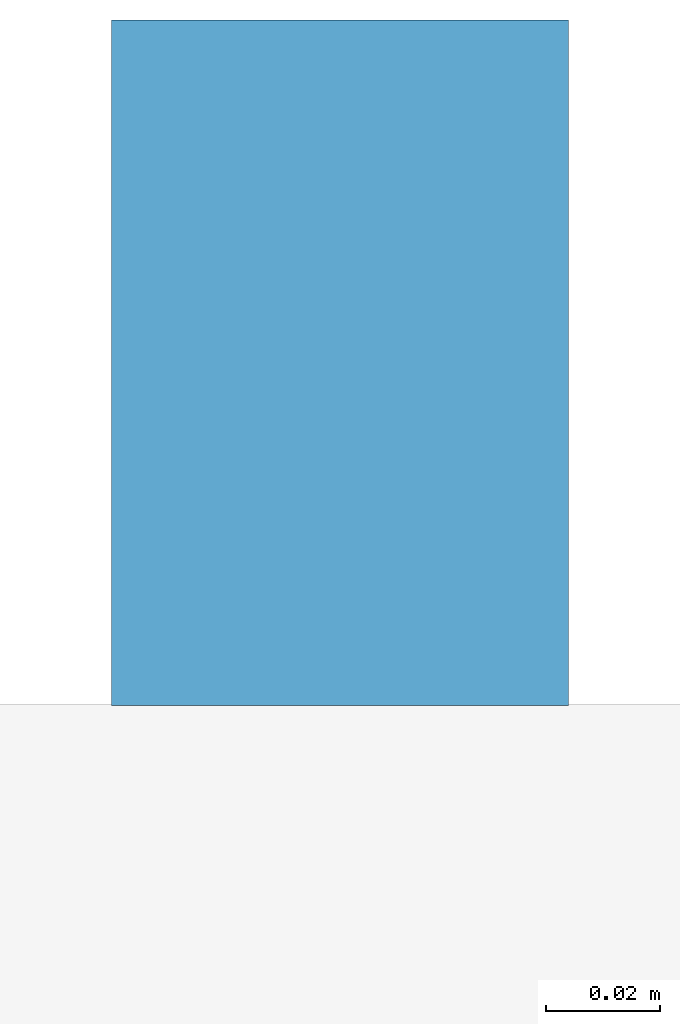
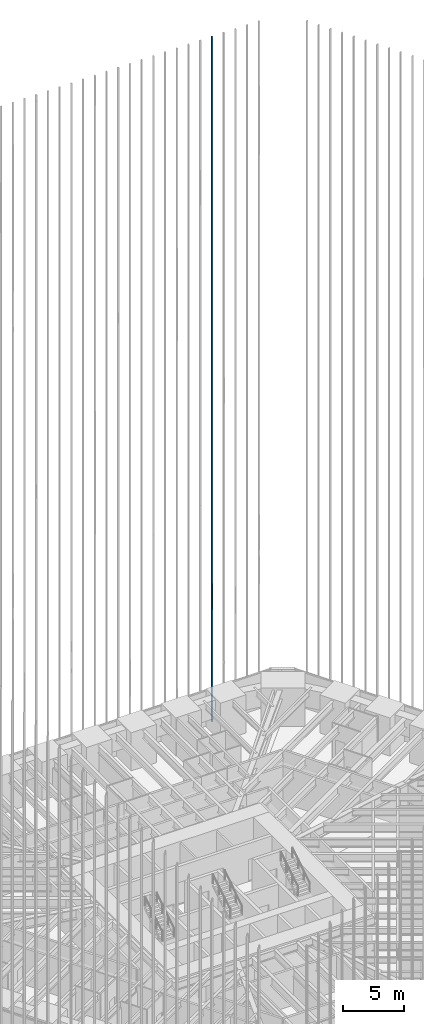
# One storey, part 233 of 256: 1 member, 1 element without a shape of its own.
"""IFC4 building model written with IfcOpenShell, lengths in metres."""

from ifc_helpers import new_model, si_unit, direction, frame, origin, origin_2d, place, context, subcontext, project, spatial, rectangle, extrude, material, material_profile, profile_set, type_object, element, aggregate, save


model = new_model("IFC4")

# Units and contexts
model_context = context("Model", 3, precision=1e-05, world=origin(), true_north=direction((0.0, 1.0)))
body_context = subcontext(model_context, "Body", "Model", "MODEL_VIEW")
ifc_project = project(units=[si_unit("LENGTHUNIT", "METRE"), si_unit("AREAUNIT", "SQUARE_METRE"), si_unit("VOLUMEUNIT", "CUBIC_METRE"), si_unit("PLANEANGLEUNIT", "RADIAN"), si_unit("MASSUNIT", "GRAM", prefix="KILO")], contexts=[model_context])

# Site, building, storey
site_placement = place(None, origin())
site = spatial("IfcSite", under=ifc_project, at=site_placement, CompositionType="ELEMENT")
building_placement = place(site_placement, origin())
building = spatial("IfcBuilding", under=site, at=building_placement, Name="Sandreach Pilgrim Tower", CompositionType="ELEMENT")
storey_placement = place(building_placement, frame((0.0, 0.0, 23.0)))
storey = spatial("IfcBuildingStorey", under=building, at=storey_placement, Name="L04", CompositionType="ELEMENT", Elevation=23.0)

# Curtain wall, member
ifc_material_1 = material(Name="Aluminium framed curtain wall", Category="aluminium")
curtain_wall_type = type_object("IfcCurtainWallType", Name="Hostel tower curtain wall", PredefinedType="NOTDEFINED", material=ifc_material_1)
curtain_wall_placement = place(storey_placement, origin())
curtain_wall = element("IfcCurtainWall", 1, at=curtain_wall_placement, inside=storey, type_object=curtain_wall_type, Name="CW-1 L04 N", PredefinedType="NOTDEFINED")
ifc_material_2 = material(Name="Extruded terracotta on aluminium core", Category="masonry")
ifc_material_profile = material_profile(ifc_material_2, rectangle(XDim=0.080078125, YDim=0.1201171875, at=origin_2d()), Name="TBN 80X120")
ifc_profile_set = profile_set([ifc_material_profile], Name="Extruded terracotta on aluminium core")
member_type = type_object("IfcMemberType", Name="Terracotta baguette north", PredefinedType="USERDEFINED", material=ifc_profile_set)
member_placement = place(storey_placement, frame((14.357666015625, 24.30859375, 0.0), z_axis=(0.0, 0.0, 1.0), x_axis=(1.0, 0.0, 0.0)))
member = element("IfcMember", 2, at=member_placement, type_object=member_type, Name="Baguette Z1 N31", ObjectType="BAGUETTE", PredefinedType="USERDEFINED", context=body_context, shape_type="SweptSolid", body=[
    extrude(rectangle(XDim=0.080078125, YDim=0.1201171875, at=origin_2d()), origin(), (0.0, 0.0, 1.0), 68.239990234375),
])
aggregate(curtain_wall, [member])

save(model, "model.ifc")
